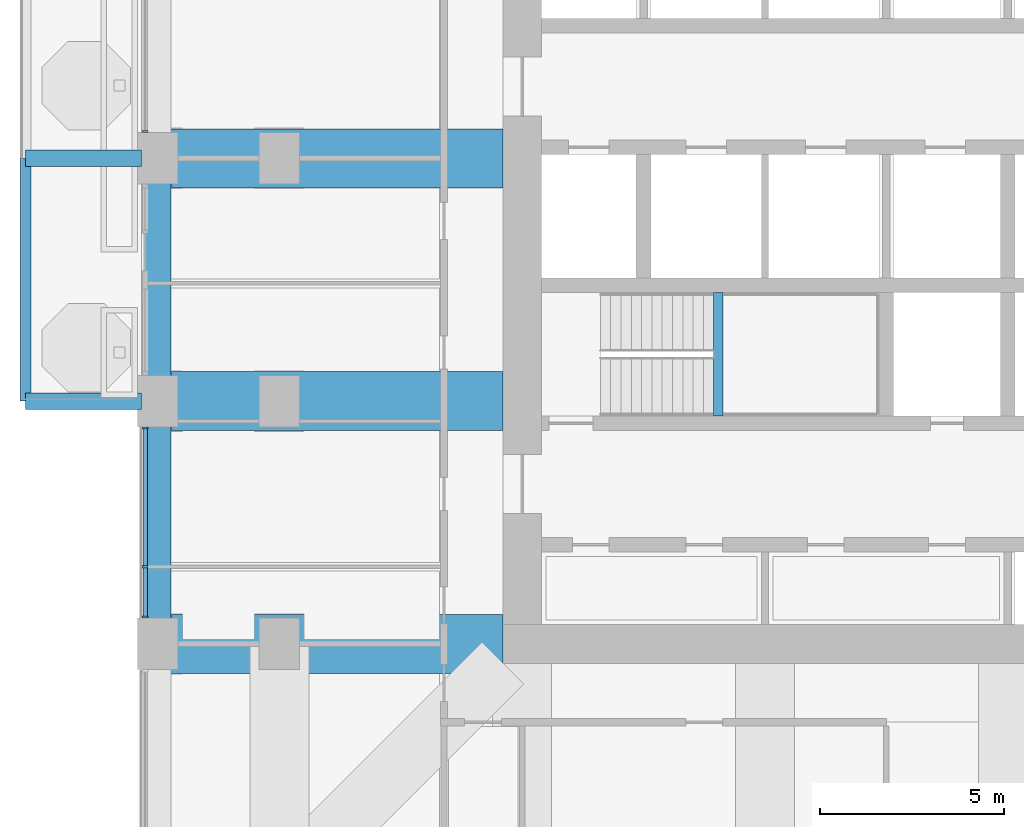
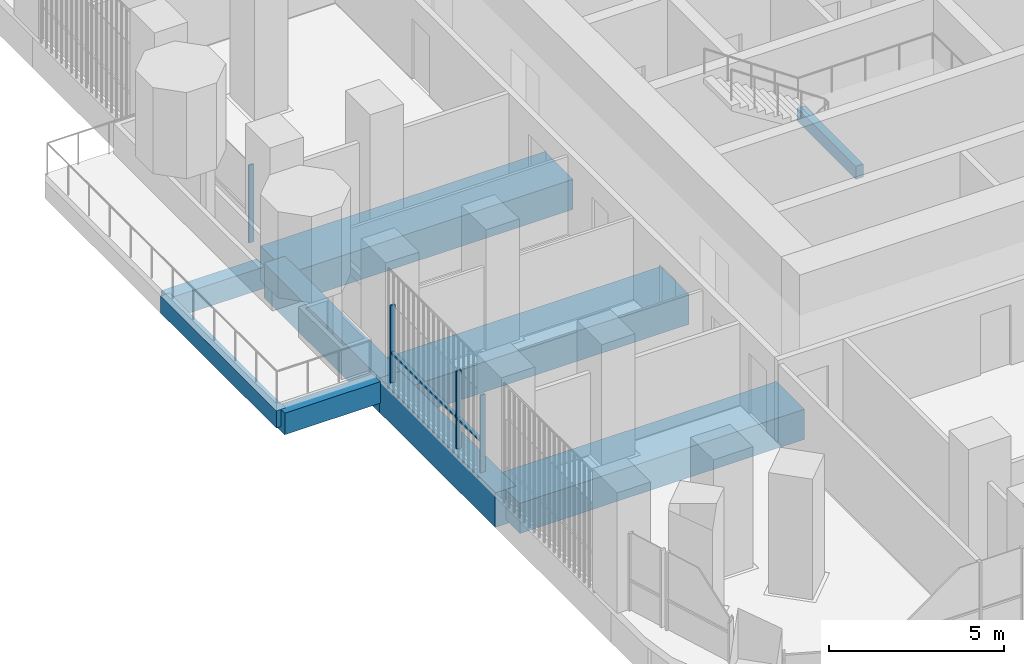
# One storey, part 4 of 23: 9 beams, 6 members, 2 elements without a shape of their own.
"""IFC4 building model written with IfcOpenShell, lengths in metres."""

from ifc_helpers import new_model, si_unit, direction, frame, origin, origin_2d, place, context, subcontext, project, spatial, rectangle, extrude, material, material_profile, profile_set, type_object, element, aggregate, save


model = new_model("IFC4")

# Units and contexts
model_context = context("Model", 3, precision=1e-05, world=origin(), true_north=direction((0.0, 1.0)))
body_context = subcontext(model_context, "Body", "Model", "MODEL_VIEW")
ifc_project = project(units=[si_unit("LENGTHUNIT", "METRE"), si_unit("AREAUNIT", "SQUARE_METRE"), si_unit("VOLUMEUNIT", "CUBIC_METRE"), si_unit("PLANEANGLEUNIT", "RADIAN"), si_unit("MASSUNIT", "GRAM", prefix="KILO")], contexts=[model_context])

# Site, building, storey
site_placement = place(None, origin())
site = spatial("IfcSite", under=ifc_project, at=site_placement, CompositionType="ELEMENT")
building_placement = place(site_placement, origin())
building = spatial("IfcBuilding", under=site, at=building_placement, Name="Cobogo Forest Laboratory Tower", CompositionType="ELEMENT")
storey_placement = place(building_placement, frame((0.0, 0.0, 128.39990234375)))
storey = spatial("IfcBuildingStorey", under=building, at=storey_placement, Name="L29", CompositionType="ELEMENT", Elevation=128.39990234375)

# Beams
ifc_material_1 = material(Name="Concrete HA-40 (C40/50)", Category="concrete")
ifc_material_profile_1 = material_profile(ifc_material_1, rectangle(XDim=0.449951171875, YDim=0.75, at=origin_2d()), Name="RC 450x750")
ifc_profile_set_1 = profile_set([ifc_material_profile_1], Name="Concrete HA-40 (C40/50)")
beam_type_1 = type_object("IfcBeamType", Name="Balcony cantilever beam 450x750", PredefinedType="BEAM", material=ifc_profile_set_1)
for number, where, z_axis, x_axis, name in (
    (1, (2.85009765625, 19.800048828125, -0.625), (-1.0, 0.0, 0.0), (0.0, -1.0, 0.0), "CB1 BAL-W1-C1 L29"),
    (2, (2.85009765625, 26.39990234375, -0.625), (-1.0, 0.0, 0.0), (0.0, -1.0, 0.0), "CB1 BAL-W1-C2 L29"),
):
    element("IfcBeam", number, at=place(storey_placement, frame(where, z_axis=z_axis, x_axis=x_axis)), inside=storey, type_object=beam_type_1, Name=name, PredefinedType="BEAM", context=body_context, shape_type="SweptSolid", body=[
        extrude(rectangle(XDim=0.449951171875, YDim=0.75, at=origin_2d()), origin(), (0.0, 0.0, 1.0), 3.150146484375),
    ])
ifc_material_profile_2 = material_profile(ifc_material_1, rectangle(XDim=0.300048828125, YDim=0.60009765625, at=origin_2d()), Name="RC 300x600")
ifc_profile_set_2 = profile_set([ifc_material_profile_2], Name="Concrete HA-40 (C40/50)")
beam_type_2 = type_object("IfcBeamType", Name="Balcony edge beam 300x600", PredefinedType="BEAM", material=ifc_profile_set_2)
beam_1_placement = place(storey_placement, frame((-0.300048828125, 19.800048828125, -0.5498046875), z_axis=(0.0, 1.0, 0.0), x_axis=(-1.0, 0.0, 0.0)))
element("IfcBeam", 3, at=beam_1_placement, inside=storey, type_object=beam_type_2, Name="BB1 BAL-W1-T1 L29", PredefinedType="BEAM", context=body_context, shape_type="SweptSolid", body=[
    extrude(rectangle(XDim=0.300048828125, YDim=0.60009765625, at=origin_2d()), origin(), (0.0, 0.0, 1.0), 6.599853515625),
])
ifc_material_profile_3 = material_profile(ifc_material_1, rectangle(XDim=0.25, YDim=0.449951171875, at=origin_2d()), Name="RC 250x450")
ifc_profile_set_3 = profile_set([ifc_material_profile_3], Name="Concrete HA-40 (C40/50)")
beam_type_3 = type_object("IfcBeamType", Name="LB1 landing beam 250x450", PredefinedType="BEAM", material=ifc_profile_set_3)
beam_2_placement = place(storey_placement, frame((18.530029296875, 19.39990234375, 1.675048828125), z_axis=(0.0, 1.0, 0.0), x_axis=(-1.0, 0.0, 0.0)))
element("IfcBeam", 4, at=beam_2_placement, inside=storey, type_object=beam_type_3, Name="Landing beam ST1 L29", PredefinedType="BEAM", context=body_context, shape_type="SweptSolid", body=[
    extrude(rectangle(XDim=0.25, YDim=0.449951171875, at=origin_2d()), origin(), (0.0, 0.0, 1.0), 3.35009765625),
])
ifc_material_2 = material(Name="Concrete HA-50 (C50/60)", Category="concrete")
ifc_material_profile_4 = material_profile(ifc_material_2, rectangle(XDim=1.60009765625, YDim=1.050048828125, at=origin_2d()), Name="RC 1600x1050")
ifc_profile_set_4 = profile_set([ifc_material_profile_4], Name="Concrete HA-50 (C50/60)")
beam_type_4 = type_object("IfcBeamType", Name="Laboratory floor wide beam 1600x1050", PredefinedType="BEAM", material=ifc_profile_set_4)
for number, where, z_axis, x_axis, name in (
    (5, (12.675048828125, 13.199951171875, -0.824951171875), (-1.0, 0.0, 0.0), (0.0, -1.0, 0.0), "RB8 R-C-W L29"),
    (6, (12.675048828125, 19.800048828125, -0.824951171875), (-1.0, 0.0, 0.0), (0.0, -1.0, 0.0), "RB8 R-D-W L29"),
    (7, (12.675048828125, 26.39990234375, -0.824951171875), (-1.0, 0.0, 0.0), (0.0, -1.0, 0.0), "RB8 R-E-W L29"),
):
    element("IfcBeam", number, at=place(storey_placement, frame(where, z_axis=z_axis, x_axis=x_axis)), inside=storey, type_object=beam_type_4, Name=name, PredefinedType="BEAM", context=body_context, shape_type="SweptSolid", body=[
        extrude(rectangle(XDim=1.60009765625, YDim=1.050048828125, at=origin_2d()), origin(), (0.0, 0.0, 1.0), 9.375),
    ])

# Curtain wall, member
ifc_material_3 = material(Name="Aluminium curtain wall", Category="aluminium")
curtain_wall_type = type_object("IfcCurtainWallType", Name="CW-1 unitised curtain wall, clear glazing, laboratory floors zones A and B", PredefinedType="USERDEFINED", material=ifc_material_3)
curtain_wall_1_placement = place(storey_placement, origin())
curtain_wall_1 = element("IfcCurtainWall", 8, at=curtain_wall_1_placement, inside=storey, type_object=curtain_wall_type, Name="Curtain wall 28 L29", ObjectType="UNITISED CURTAIN WALL", PredefinedType="USERDEFINED")
ifc_material_4 = material(Name="Aluminium mullion", Category="aluminium")
ifc_material_profile_5 = material_profile(ifc_material_4, rectangle(XDim=0.06005859375, YDim=0.159912109375, at=origin_2d()), Name="AL 60x160")
ifc_profile_set_5 = profile_set([ifc_material_profile_5], Name="Aluminium mullion")
member_type_1 = type_object("IfcMemberType", Name="MU-1 aluminium mullion 60x160", PredefinedType="MULLION", material=ifc_profile_set_5)
member_1_placement = place(storey_placement, frame((2.949951171875, 27.1298828125, 0.0), z_axis=(0.0, 0.0, 1.0), x_axis=(0.0, -1.0, 0.0)))
member_1 = element("IfcMember", 9, at=member_1_placement, type_object=member_type_1, Name="CW-1 mullion 2", PredefinedType="MULLION", context=body_context, shape_type="SweptSolid", body=[
    extrude(rectangle(XDim=0.06005859375, YDim=0.159912109375, at=origin_2d()), origin(), (0.0, 0.0, 1.0), 2.7001953125),
])
aggregate(curtain_wall_1, [member_1])

# Curtain wall, members
curtain_wall_2_placement = place(storey_placement, origin())
curtain_wall_2 = element("IfcCurtainWall", 10, at=curtain_wall_2_placement, inside=storey, type_object=curtain_wall_type, Name="Curtain wall 30 L29", ObjectType="UNITISED CURTAIN WALL", PredefinedType="USERDEFINED")
member_2_placement = place(storey_placement, frame((2.949951171875, 19.070068359375, 0.0), z_axis=(0.0, 0.0, 1.0), x_axis=(0.0, -1.0, 0.0)))
member_2 = element("IfcMember", 11, at=member_2_placement, type_object=member_type_1, Name="CW-1 mullion 1", PredefinedType="MULLION", context=body_context, shape_type="SweptSolid", body=[
    extrude(rectangle(XDim=0.06005859375, YDim=0.159912109375, at=origin_2d()), origin(), (0.0, 0.0, 1.0), 2.7001953125),
])
member_3_placement = place(storey_placement, frame((2.949951171875, 15.300048828125, 0.0), z_axis=(0.0, 0.0, 1.0), x_axis=(0.0, -1.0, 0.0)))
member_3 = element("IfcMember", 12, at=member_3_placement, type_object=member_type_1, Name="CW-1 mullion 2", PredefinedType="MULLION", context=body_context, shape_type="SweptSolid", body=[
    extrude(rectangle(XDim=0.06005859375, YDim=0.159912109375, at=origin_2d()), origin(), (0.0, 0.0, 1.0), 2.7001953125),
])
member_4_placement = place(storey_placement, frame((2.949951171875, 13.929931640625, 0.0), z_axis=(0.0, 0.0, 1.0), x_axis=(0.0, -1.0, 0.0)))
member_4 = element("IfcMember", 13, at=member_4_placement, type_object=member_type_1, Name="CW-1 mullion 3", PredefinedType="MULLION", context=body_context, shape_type="SweptSolid", body=[
    extrude(rectangle(XDim=0.06005859375, YDim=0.159912109375, at=origin_2d()), origin(), (0.0, 0.0, 1.0), 2.7001953125),
])

# Beams
ifc_material_profile_6 = material_profile(ifc_material_1, rectangle(XDim=0.699951171875, YDim=1.199951171875, at=origin_2d()), Name="RC 700x1200")
ifc_profile_set_6 = profile_set([ifc_material_profile_6], Name="Concrete HA-40 (C40/50)")
beam_type_5 = type_object("IfcBeamType", Name="Perimeter edge beam 700x1200", PredefinedType="BEAM", material=ifc_profile_set_6)
beam_3_placement = place(storey_placement, frame((3.300048828125, 13.199951171875, -0.89990234375), z_axis=(0.0, 1.0, 0.0), x_axis=(-1.0, 0.0, 0.0)))
element("IfcBeam", 14, at=beam_3_placement, inside=storey, type_object=beam_type_5, Name="EB1 E-W2 L29", PredefinedType="BEAM", context=body_context, shape_type="SweptSolid", body=[
    extrude(rectangle(XDim=0.699951171875, YDim=1.199951171875, at=origin_2d()), origin(), (0.0, 0.0, 1.0), 6.60009765625),
])
beam_4_placement = place(storey_placement, frame((3.300048828125, 19.800048828125, -0.89990234375), z_axis=(0.0, 1.0, 0.0), x_axis=(-1.0, 0.0, 0.0)))
element("IfcBeam", 15, at=beam_4_placement, inside=storey, type_object=beam_type_5, Name="EB1 E-W3 L29", PredefinedType="BEAM", context=body_context, shape_type="SweptSolid", body=[
    extrude(rectangle(XDim=0.699951171875, YDim=1.199951171875, at=origin_2d()), origin(), (0.0, 0.0, 1.0), 6.599853515625),
])

# Member
ifc_material_5 = material(Name="Aluminium transom", Category="aluminium")
ifc_material_profile_7 = material_profile(ifc_material_5, rectangle(XDim=0.1201171875, YDim=0.06005859375, at=origin_2d()), Name="AL 60x120")
ifc_profile_set_7 = profile_set([ifc_material_profile_7], Name="Aluminium transom")
member_type_2 = type_object("IfcMemberType", Name="TR-1 aluminium transom 60x120", PredefinedType="USERDEFINED", material=ifc_profile_set_7)
member_5_placement = place(storey_placement, frame((2.949951171875, 19.0400390625, 1.050048828125), z_axis=(0.0, -1.0, 0.0), x_axis=(1.0, 0.0, 0.0)))
member_5 = element("IfcMember", 16, at=member_5_placement, type_object=member_type_2, Name="CW-1 transom 1.1", ObjectType="TRANSOM", PredefinedType="USERDEFINED", context=body_context, shape_type="SweptSolid", body=[
    extrude(rectangle(XDim=0.1201171875, YDim=0.06005859375, at=origin_2d()), origin(), (0.0, 0.0, 1.0), 3.7099609375),
])

member_6_placement = place(storey_placement, frame((2.949951171875, 15.27001953125, 1.050048828125), z_axis=(0.0, -1.0, 0.0), x_axis=(1.0, 0.0, 0.0)))
member_6 = element("IfcMember", 17, at=member_6_placement, type_object=member_type_2, Name="CW-1 transom 2.1", ObjectType="TRANSOM", PredefinedType="USERDEFINED", context=body_context, shape_type="SweptSolid", body=[
    extrude(rectangle(XDim=0.1201171875, YDim=0.06005859375, at=origin_2d()), origin(), (0.0, 0.0, 1.0), 1.31005859375),
])

aggregate(curtain_wall_2, [member_2, member_3, member_4, member_5, member_6])

save(model, "model.ifc")
